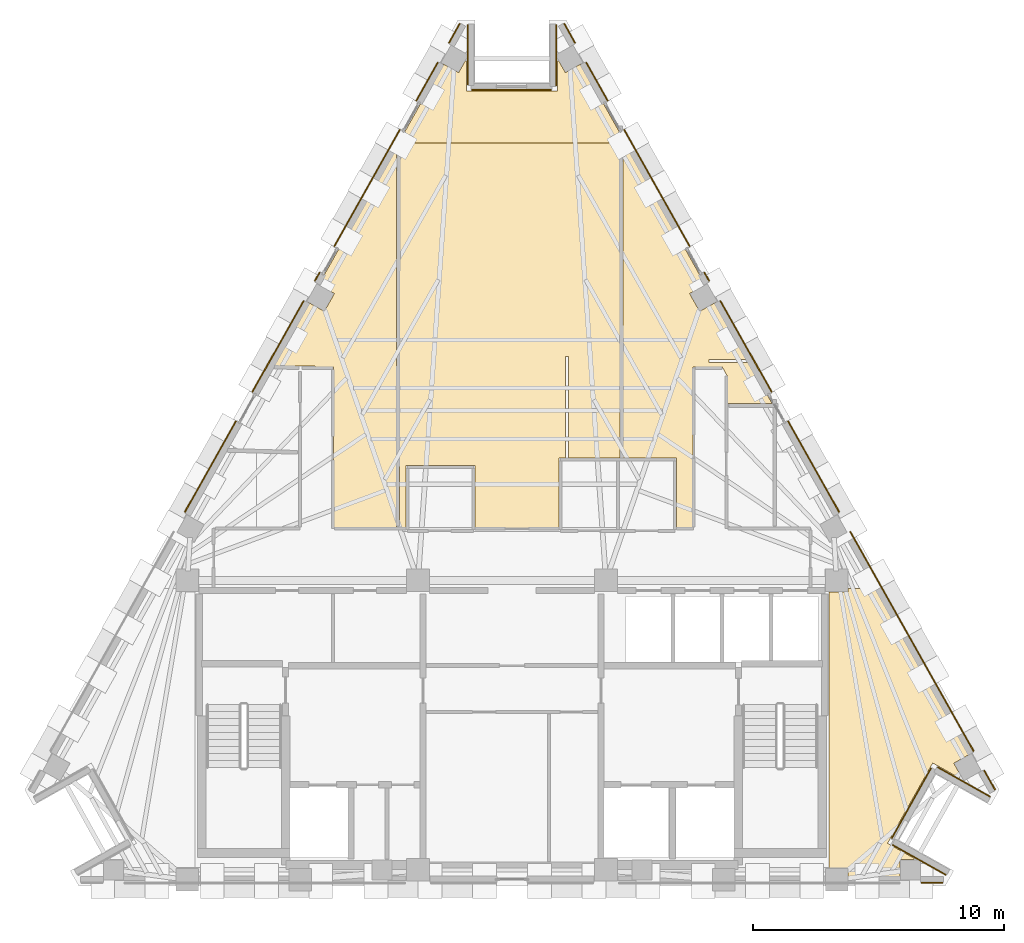
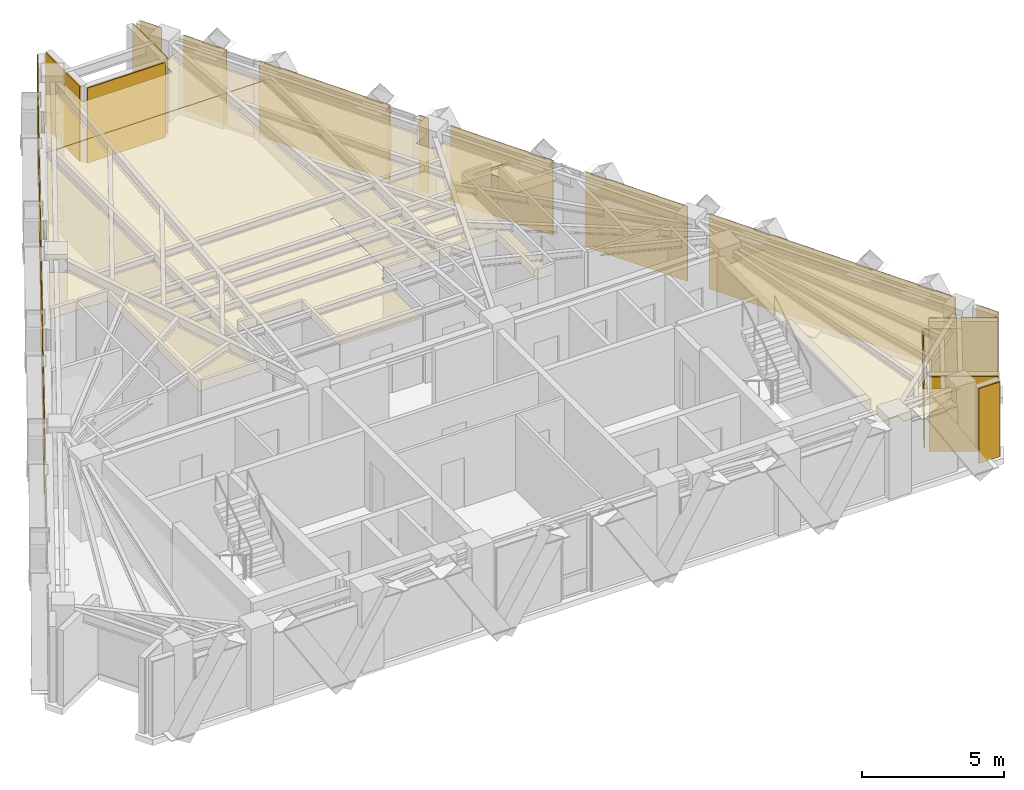
# One storey, part 9 of 9: 26 coverings.
"""IFC4 building model written with IfcOpenShell, lengths in metres."""

from ifc_helpers import new_model, si_unit, direction, frame, origin, place, context, subcontext, project, spatial, polyline, outline, extrude, material, layer, layer_set, type_object, element, save


model = new_model("IFC4")

# Units and contexts
model_context = context("Model", 3, precision=1e-05, world=origin(), true_north=direction((0.0, 1.0)))
body_context = subcontext(model_context, "Body", "Model", "MODEL_VIEW")
ifc_project = project(units=[si_unit("LENGTHUNIT", "METRE"), si_unit("AREAUNIT", "SQUARE_METRE"), si_unit("VOLUMEUNIT", "CUBIC_METRE"), si_unit("PLANEANGLEUNIT", "RADIAN"), si_unit("MASSUNIT", "GRAM", prefix="KILO")], contexts=[model_context])

# Site, building, storey
site_placement = place(None, origin())
site = spatial("IfcSite", under=ifc_project, at=site_placement, CompositionType="ELEMENT")
building_placement = place(site_placement, origin())
building = spatial("IfcBuilding", under=site, at=building_placement, Name="Quenlor Broadcast Tower", CompositionType="ELEMENT")
storey_placement = place(building_placement, frame((0.0, 0.0, 239.39990234375)))
storey = spatial("IfcBuildingStorey", under=building, at=storey_placement, Name="L66", CompositionType="ELEMENT", Elevation=239.39990234375)

# Coverings
ifc_material_1 = material(Name="Acoustic Mineral Fibre Board", Category="other")
ifc_layer_1 = layer(ifc_material_1, 0.02490234375)
ifc_layer_set_1 = layer_set([ifc_layer_1], Name="Acoustic Perforated Mineral Tile Ceiling 25")
covering_type_1 = type_object("IfcCoveringType", Name="Acoustic Perforated Mineral Tile Ceiling 25", PredefinedType="CEILING", material=ifc_layer_set_1)
covering_1_placement = place(storey_placement, frame((0.0, 0.0, 2.714599609375)))
element("IfcCovering", 1, at=covering_1_placement, inside=storey, type_object=covering_type_1, Name="L66 Acoustic Ceiling L66-24", PredefinedType="CEILING", context=body_context, shape_type="SweptSolid", body=[
    extrude(outline(polyline([(4.300048828125, 0.090087890625), (2.260009765625, 0.090087890625), (2.260009765625, 4.1298828125), (2.139892578125, 4.1298828125), (2.139892578125, 0.090087890625), (1.8798828125, 0.090087890625), (1.8798828125, -2.699951171875), (-1.47998046875, -2.699951171875), (-1.47998046875, -0.2099609375), (-4.219970703125, -0.2099609375), (-4.219970703125, -2.699951171875), (-4.47998046875, -2.699951171875), (-4.47998046875, 12.64990234375), (4.300048828125, 12.64990234375), (4.300048828125, 0.090087890625)])), origin(), (0.0, 0.0, 1.0), 0.025146484375),
])
covering_2_placement = place(storey_placement, frame((0.0, 0.0, 2.714599609375)))
element("IfcCovering", 2, at=covering_2_placement, inside=storey, type_object=covering_type_1, Name="L66 Acoustic Ceiling L66-24-2", PredefinedType="CEILING", context=body_context, shape_type="SweptSolid", body=[
    extrude(outline(polyline([(1.808837890625, 16.0263671875), (2.129150390625, 15.456787109375), (2.7548828125, 15.808837890625), (4.300048828125, 13.06201171875), (4.300048828125, 12.64990234375), (-4.47998046875, 12.64990234375), (-4.47998046875, 12.741943359375), (-2.7548828125, 15.808837890625), (-2.129150390625, 15.456787109375), (-1.808837890625, 16.0263671875), (-1.808837890625, 14.719970703125), (1.808837890625, 14.719970703125), (1.808837890625, 16.0263671875)])), origin(), (0.0, 0.0, 1.0), 0.025146484375),
])
covering_3_placement = place(storey_placement, frame((0.0, 0.0, 2.714599609375)))
element("IfcCovering", 3, at=covering_3_placement, inside=storey, type_object=covering_type_1, Name="L66 Acoustic Ceiling L66-25", PredefinedType="CEILING", context=body_context, shape_type="SweptSolid", body=[
    extrude(outline(polyline([(9.45361328125, 3.89990234375), (10.376220703125, 2.260009765625), (8.580078125, 2.260009765625), (8.580078125, 3.37255859375), (8.39013671875, 3.7099609375), (7.219970703125, 3.7099609375), (7.219970703125, -2.699951171875), (6.570068359375, -2.699951171875), (6.570068359375, 0.090087890625), (4.419921875, 0.090087890625), (4.419921875, 12.64990234375), (4.53173828125, 12.64990234375), (7.711669921875, 6.996826171875), (7.0859375, 6.64501953125), (7.48583984375, 5.93359375), (8.11181640625, 6.28564453125), (9.38623046875, 4.02001953125), (7.85009765625, 4.02001953125), (7.85009765625, 3.89990234375), (9.45361328125, 3.89990234375)])), origin(), (0.0, 0.0, 1.0), 0.025146484375),
])
covering_4_placement = place(storey_placement, frame((0.0, 0.0, 2.714599609375)))
element("IfcCovering", 4, at=covering_4_placement, inside=storey, type_object=covering_type_1, Name="L66 Acoustic Ceiling L66-26", PredefinedType="CEILING", context=body_context, shape_type="SweptSolid", body=[
    extrude(outline(polyline([(-7.1201171875, 3.7099609375), (-7.85009765625, 3.7099609375), (-7.85009765625, 3.760009765625), (-9.532470703125, 3.760009765625), (-8.11181640625, 6.28564453125), (-7.48583984375, 5.93359375), (-7.0859375, 6.64501953125), (-7.711669921875, 6.996826171875), (-4.60009765625, 12.52880859375), (-4.60009765625, -2.699951171875), (-7.1201171875, -2.699951171875), (-7.1201171875, 3.7099609375)])), origin(), (0.0, 0.0, 1.0), 0.025146484375),
])
ifc_material_2 = material(Name="Acoustic Gypsum Board", Category="other")
ifc_layer_2 = layer(ifc_material_2, 0.0400390625)
ifc_layer_set_2 = layer_set([ifc_layer_2], Name="Broadcast Studio Spring Isolated Ceiling 40")
covering_type_2 = type_object("IfcCoveringType", Name="Broadcast Studio Spring Isolated Ceiling 40", PredefinedType="CEILING", material=ifc_layer_set_2)
covering_5_placement = place(storey_placement, frame((0.0, 0.0, 2.69970703125)))
element("IfcCovering", 5, at=covering_5_placement, inside=storey, type_object=covering_type_2, Name="L66 Acoustic Ceiling L66-30-2", PredefinedType="CEILING", context=body_context, shape_type="SweptSolid", body=[
    extrude(outline(polyline([(13.407958984375, -5.1201171875), (14.52734375, -5.1201171875), (18.25244140625, -11.7421875), (17.626708984375, -12.09423828125), (18.0087890625, -12.773681640625), (16.785888671875, -12.085693359375), (14.983642578125, -15.28955078125), (16.1435546875, -15.94189453125), (15.489501953125, -15.94189453125), (15.489501953125, -16.659912109375), (13.407958984375, -16.659912109375), (13.407958984375, -16.2919921875), (12.64990234375, -16.2919921875), (12.64990234375, -5.258056640625), (13.407958984375, -5.258056640625), (13.407958984375, -5.1201171875)])), origin(), (0.0, 0.0, 1.0), 0.0400390625),
])
ifc_material_3 = material(Name="Architectural Terracotta Ceramic", Category="masonry")
ifc_layer_3 = layer(ifc_material_3, 0.044921875)
ifc_layer_set_3 = layer_set([ifc_layer_3], Name="Fluted Terracotta Rainscreen Cladding Panel")
covering_type_3 = type_object("IfcCoveringType", Name="Fluted Terracotta Rainscreen Cladding Panel", PredefinedType="CLADDING", material=ifc_layer_set_3)
covering_6_placement = place(storey_placement, frame((0.0, 0.0, 0.02001953125)))
element("IfcCovering", 6, at=covering_6_placement, inside=storey, type_object=covering_type_3, Name="L66 Terracotta Rainscreen Cladding L66-SHD-SS0", PredefinedType="CLADDING", context=body_context, shape_type="SweptSolid", body=[
    extrude(outline(polyline([(17.18994140625, -16.8369140625), (16.33251953125, -16.8369140625), (16.33251953125, -16.882080078125), (17.18994140625, -16.882080078125), (17.18994140625, -16.8369140625)])), origin(), (0.0, 0.0, 1.0), 3.2099609375),
])
covering_7_placement = place(storey_placement, frame((0.0, 0.0, 0.02001953125)))
element("IfcCovering", 7, at=covering_7_placement, inside=storey, type_object=covering_type_3, Name="L66 Terracotta Rainscreen Cladding L66-SHD-NES0", PredefinedType="CLADDING", context=body_context, shape_type="SweptSolid", body=[
    extrude(outline(polyline([(2.06201171875, 17.401611328125), (2.495849609375, 16.630615234375), (2.534912109375, 16.652587890625), (2.101318359375, 17.423583984375), (2.06201171875, 17.401611328125)])), origin(), (0.0, 0.0, 1.0), 3.2099609375),
])
covering_8_placement = place(storey_placement, frame((0.0, 0.0, 0.02001953125)))
element("IfcCovering", 8, at=covering_8_placement, inside=storey, type_object=covering_type_3, Name="L66 Terracotta Rainscreen Cladding L66-SHD-NES1", PredefinedType="CLADDING", context=body_context, shape_type="SweptSolid", body=[
    extrude(outline(polyline([(18.820068359375, -12.39013671875), (19.25390625, -13.161376953125), (19.29296875, -13.139404296875), (18.859130859375, -12.3681640625), (18.820068359375, -12.39013671875)])), origin(), (0.0, 0.0, 1.0), 3.2099609375),
])
covering_9_placement = place(storey_placement, frame((0.0, 0.0, 0.02001953125)))
element("IfcCovering", 9, at=covering_9_placement, inside=storey, type_object=covering_type_3, Name="L66 Terracotta Rainscreen Cladding L66-NEA-SP1", PredefinedType="CLADDING", context=body_context, shape_type="SweptSolid", body=[
    extrude(outline(polyline([(2.94091796875, 15.859619140625), (3.8037109375, 14.325927734375), (3.8427734375, 14.347900390625), (2.980224609375, 15.881591796875), (2.94091796875, 15.859619140625)])), origin(), (0.0, 0.0, 1.0), 3.2099609375),
])
covering_10_placement = place(storey_placement, frame((0.0, 0.0, 0.02001953125)))
element("IfcCovering", 10, at=covering_10_placement, inside=storey, type_object=covering_type_3, Name="L66 Terracotta Rainscreen Cladding L66-NEA-SP2", PredefinedType="CLADDING", context=body_context, shape_type="SweptSolid", body=[
    extrude(outline(polyline([(4.450927734375, 13.17529296875), (7.0732421875, 8.51318359375), (7.1123046875, 8.53515625), (4.490234375, 13.197265625), (4.450927734375, 13.17529296875)])), origin(), (0.0, 0.0, 1.0), 3.2099609375),
])
covering_11_placement = place(storey_placement, frame((0.0, 0.0, 0.02001953125)))
element("IfcCovering", 11, at=covering_11_placement, inside=storey, type_object=covering_type_3, Name="L66 Terracotta Rainscreen Cladding L66-NEA-SP3", PredefinedType="CLADDING", context=body_context, shape_type="SweptSolid", body=[
    extrude(outline(polyline([(7.655517578125, 7.478271484375), (7.8515625, 7.129638671875), (7.890625, 7.151611328125), (7.694580078125, 7.500244140625), (7.655517578125, 7.478271484375)])), origin(), (0.0, 0.0, 1.0), 3.2099609375),
])
covering_12_placement = place(storey_placement, frame((0.0, 0.0, 0.02001953125)))
element("IfcCovering", 12, at=covering_12_placement, inside=storey, type_object=covering_type_3, Name="L66 Terracotta Rainscreen Cladding L66-EW-NEC", PredefinedType="CLADDING", context=body_context, shape_type="SweptSolid", body=[
    extrude(outline(polyline([(13.471923828125, -2.862060546875), (18.402099609375, -11.626953125), (18.44140625, -11.60498046875), (13.51123046875, -2.840087890625), (13.471923828125, -2.862060546875)])), origin(), (0.0, 0.0, 1.0), 3.2099609375),
])
covering_13_placement = place(storey_placement, frame((0.0, 0.0, 0.02001953125)))
element("IfcCovering", 13, at=covering_13_placement, inside=storey, type_object=covering_type_3, Name="L66 Terracotta Rainscreen Cladding L66-NE-SP1", PredefinedType="CLADDING", context=body_context, shape_type="SweptSolid", body=[
    extrude(outline(polyline([(8.295166015625, 6.3408203125), (10.343017578125, 2.700439453125), (10.382080078125, 2.722412109375), (8.33447265625, 6.36279296875), (8.295166015625, 6.3408203125)])), origin(), (0.0, 0.0, 1.0), 3.2099609375),
])
covering_14_placement = place(storey_placement, frame((0.0, 0.0, 0.02001953125)))
element("IfcCovering", 14, at=covering_14_placement, inside=storey, type_object=covering_type_3, Name="L66 Terracotta Rainscreen Cladding L66-NE-SP2", PredefinedType="CLADDING", context=body_context, shape_type="SweptSolid", body=[
    extrude(outline(polyline([(10.990234375, 1.5498046875), (13.0380859375, -2.0908203125), (13.0771484375, -2.068603515625), (11.029541015625, 1.57177734375), (10.990234375, 1.5498046875)])), origin(), (0.0, 0.0, 1.0), 3.2099609375),
])
covering_15_placement = place(storey_placement, frame((0.0, 0.0, 0.02001953125)))
element("IfcCovering", 15, at=covering_15_placement, inside=storey, type_object=covering_type_3, Name="L66 Terracotta Rainscreen Cladding L66-SHD-NWS1", PredefinedType="CLADDING", context=body_context, shape_type="SweptSolid", body=[
    extrude(outline(polyline([(-2.495849609375, 16.630615234375), (-2.06201171875, 17.401611328125), (-2.101318359375, 17.423583984375), (-2.534912109375, 16.652587890625), (-2.495849609375, 16.630615234375)])), origin(), (0.0, 0.0, 1.0), 3.2099609375),
])
covering_16_placement = place(storey_placement, frame((0.0, 0.0, 0.02001953125)))
element("IfcCovering", 16, at=covering_16_placement, inside=storey, type_object=covering_type_3, Name="L66 Terracotta Rainscreen Cladding L66-NWC-SP1", PredefinedType="CLADDING", context=body_context, shape_type="SweptSolid", body=[
    extrude(outline(polyline([(-7.8515625, 7.129638671875), (-7.655517578125, 7.478271484375), (-7.694580078125, 7.500244140625), (-7.890625, 7.151611328125), (-7.8515625, 7.129638671875)])), origin(), (0.0, 0.0, 1.0), 3.2099609375),
])
covering_17_placement = place(storey_placement, frame((0.0, 0.0, 0.02001953125)))
element("IfcCovering", 17, at=covering_17_placement, inside=storey, type_object=covering_type_3, Name="L66 Terracotta Rainscreen Cladding L66-NWC-SP2", PredefinedType="CLADDING", context=body_context, shape_type="SweptSolid", body=[
    extrude(outline(polyline([(-7.0732421875, 8.51318359375), (-4.450927734375, 13.17529296875), (-4.490234375, 13.197265625), (-7.1123046875, 8.53515625), (-7.0732421875, 8.51318359375)])), origin(), (0.0, 0.0, 1.0), 3.2099609375),
])
covering_18_placement = place(storey_placement, frame((0.0, 0.0, 0.02001953125)))
element("IfcCovering", 18, at=covering_18_placement, inside=storey, type_object=covering_type_3, Name="L66 Terracotta Rainscreen Cladding L66-NWC-SP3", PredefinedType="CLADDING", context=body_context, shape_type="SweptSolid", body=[
    extrude(outline(polyline([(-3.8037109375, 14.325927734375), (-2.94091796875, 15.859619140625), (-2.980224609375, 15.881591796875), (-3.8427734375, 14.347900390625), (-3.8037109375, 14.325927734375)])), origin(), (0.0, 0.0, 1.0), 3.2099609375),
])
covering_19_placement = place(storey_placement, frame((0.0, 0.0, 0.02001953125)))
element("IfcCovering", 19, at=covering_19_placement, inside=storey, type_object=covering_type_3, Name="L66 Terracotta Rainscreen Cladding L66-NW-SP1", PredefinedType="CLADDING", context=body_context, shape_type="SweptSolid", body=[
    extrude(outline(polyline([(-13.0380859375, -2.0908203125), (-10.990234375, 1.5498046875), (-11.029541015625, 1.57177734375), (-13.0771484375, -2.068603515625), (-13.0380859375, -2.0908203125)])), origin(), (0.0, 0.0, 1.0), 3.2099609375),
])
covering_20_placement = place(storey_placement, frame((0.0, 0.0, 0.02001953125)))
element("IfcCovering", 20, at=covering_20_placement, inside=storey, type_object=covering_type_3, Name="L66 Terracotta Rainscreen Cladding L66-NW-SP2", PredefinedType="CLADDING", context=body_context, shape_type="SweptSolid", body=[
    extrude(outline(polyline([(-10.343017578125, 2.700439453125), (-8.295166015625, 6.3408203125), (-8.33447265625, 6.36279296875), (-10.382080078125, 2.722412109375), (-10.343017578125, 2.700439453125)])), origin(), (0.0, 0.0, 1.0), 3.2099609375),
])
covering_21_placement = place(storey_placement, frame((0.0, 0.0, 0.02001953125)))
element("IfcCovering", 21, at=covering_21_placement, inside=storey, type_object=covering_type_3, Name="L66 Terracotta Rainscreen Cladding L66-CNR-01", PredefinedType="CLADDING", context=body_context, shape_type="SweptSolid", body=[
    extrude(outline(polyline([(17.32666015625, -16.529541015625), (15.199951171875, -15.333251953125), (15.177978515625, -15.372314453125), (17.3046875, -16.568603515625), (17.32666015625, -16.529541015625)])), origin(), (0.0, 0.0, 1.0), 3.2099609375),
])
covering_22_placement = place(storey_placement, frame((0.0, 0.0, 0.02001953125)))
element("IfcCovering", 22, at=covering_22_placement, inside=storey, type_object=covering_type_3, Name="L66 Terracotta Rainscreen Cladding L66-CNR-02", PredefinedType="CLADDING", context=body_context, shape_type="SweptSolid", body=[
    extrude(outline(polyline([(15.16552734375, -15.10498046875), (16.7421875, -12.302001953125), (16.702880859375, -12.280029296875), (15.126220703125, -15.0830078125), (15.16552734375, -15.10498046875)])), origin(), (0.0, 0.0, 1.0), 2.749755859375),
])
covering_23_placement = place(storey_placement, frame((0.0, 0.0, 0.02001953125)))
element("IfcCovering", 23, at=covering_23_placement, inside=storey, type_object=covering_type_3, Name="L66 Terracotta Rainscreen Cladding L66-CNR-03", PredefinedType="CLADDING", context=body_context, shape_type="SweptSolid", body=[
    extrude(outline(polyline([(16.970458984375, -12.267578125), (19.062255859375, -13.444091796875), (19.084228515625, -13.405029296875), (16.992431640625, -12.228271484375), (16.970458984375, -12.267578125)])), origin(), (0.0, 0.0, 1.0), 3.2099609375),
])
covering_24_placement = place(storey_placement, frame((0.0, 0.0, 0.02001953125)))
element("IfcCovering", 24, at=covering_24_placement, inside=storey, type_object=covering_type_3, Name="L66 Terracotta Rainscreen Cladding L66-CNR-07", PredefinedType="CLADDING", context=body_context, shape_type="SweptSolid", body=[
    extrude(outline(polyline([(1.74072265625, 17.3701171875), (1.74072265625, 14.929931640625), (1.785888671875, 14.929931640625), (1.785888671875, 17.3701171875), (1.74072265625, 17.3701171875)])), origin(), (0.0, 0.0, 1.0), 3.2099609375),
])
covering_25_placement = place(storey_placement, frame((0.0, 0.0, 0.02001953125)))
element("IfcCovering", 25, at=covering_25_placement, inside=storey, type_object=covering_type_3, Name="L66 Terracotta Rainscreen Cladding L66-CNR-08", PredefinedType="CLADDING", context=body_context, shape_type="SweptSolid", body=[
    extrude(outline(polyline([(1.558837890625, 14.7880859375), (-1.598876953125, 14.7880859375), (-1.598876953125, 14.742919921875), (1.558837890625, 14.742919921875), (1.558837890625, 14.7880859375)])), origin(), (0.0, 0.0, 1.0), 3.2099609375),
])
covering_26_placement = place(storey_placement, frame((0.0, 0.0, 0.02001953125)))
element("IfcCovering", 26, at=covering_26_placement, inside=storey, type_object=covering_type_3, Name="L66 Terracotta Rainscreen Cladding L66-CNR-09", PredefinedType="CLADDING", context=body_context, shape_type="SweptSolid", body=[
    extrude(outline(polyline([(-1.74072265625, 14.969970703125), (-1.74072265625, 17.3701171875), (-1.785888671875, 17.3701171875), (-1.785888671875, 14.969970703125), (-1.74072265625, 14.969970703125)])), origin(), (0.0, 0.0, 1.0), 3.2099609375),
])

save(model, "model.ifc")
